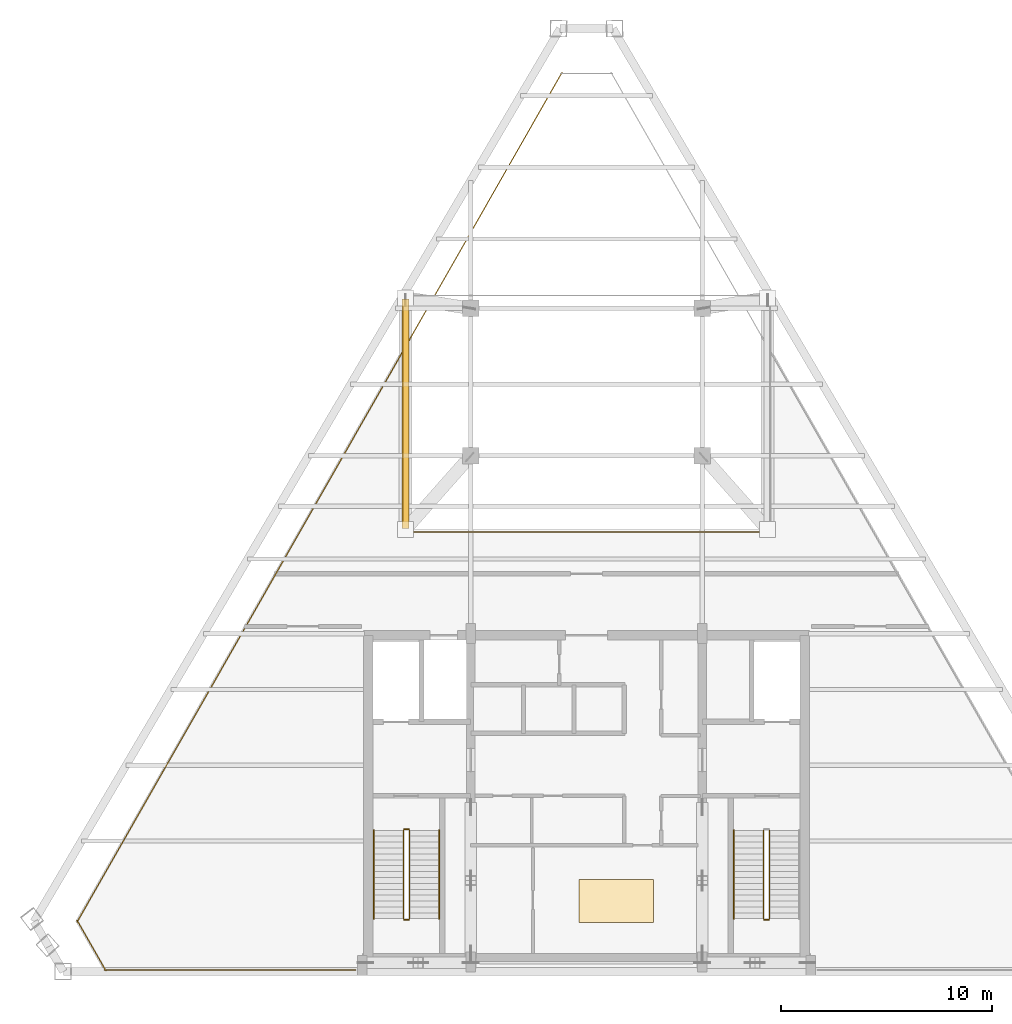
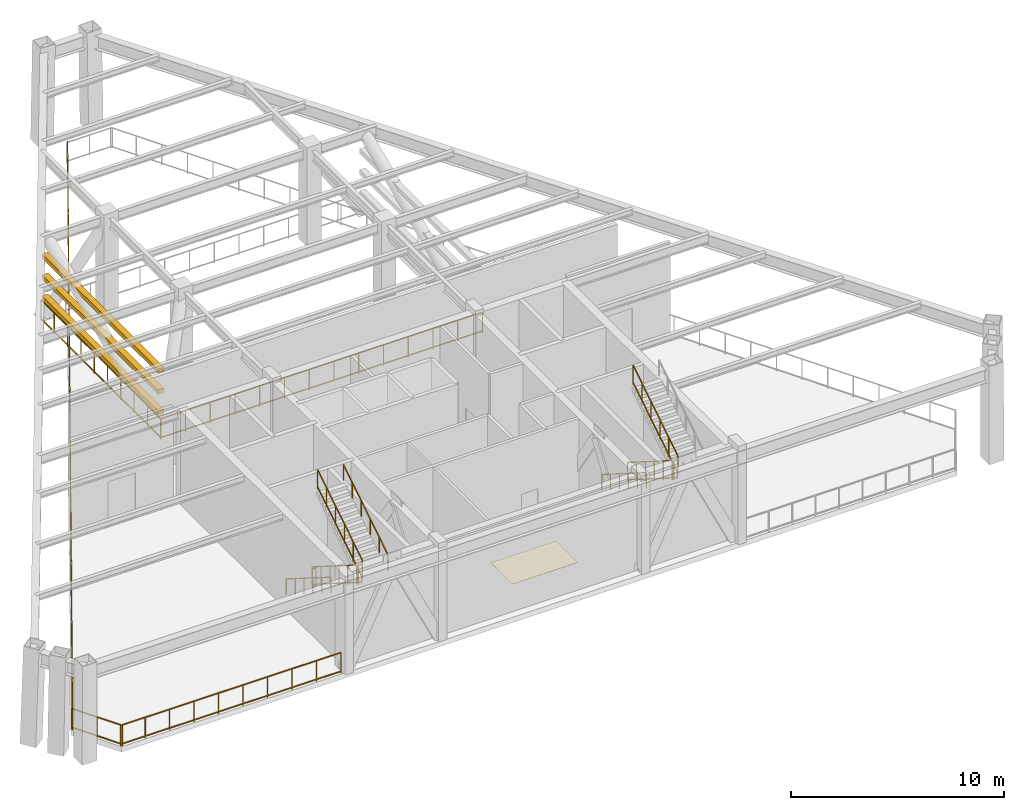
# One storey, part 5 of 6: 15 railings, 3 shading devices, 1 covering.
"""IFC4 building model written with IfcOpenShell, lengths in metres."""

import ifcopenshell
import ifcopenshell.guid

model = None  # the IFC model being written
_history = None  # IfcOwnerHistory: only IFC2X3 demands one
_inside = {}  # id of a spatial element -> (the spatial element, [elements in it])
_under = {}  # id of a project, library or spatial element -> (it, [spatial elements below it])
_declared = {}  # id of a project -> (the project, [libraries it declares])
_typed = {}  # id of a type object -> (the type object, [elements of that type])
_made_of = {}  # id of a material, layer set ... -> (it, [elements and type objects made of it])


def new_model(schema):
    """Start an empty IFC model of exactly this schema.

    Asked for "IFC4X3", IfcOpenShell would pick the latest addendum, in which some entities
    have other attributes; the version numbers below select the first issue.
    IFC2X3 requires an IfcOwnerHistory on every rooted entity: one is made here for all.
    """
    global model, _history
    if schema == "IFC4X3":
        model = ifcopenshell.file(schema_version=(4, 3, 0, 0))
    else:
        model = ifcopenshell.file(schema=schema)
    _inside.clear()
    _under.clear()
    _declared.clear()
    _typed.clear()
    _made_of.clear()
    _history = None
    if model.schema == "IFC2X3":
        org = make("IfcOrganization", Name="unknown")
        user = make(
            "IfcPersonAndOrganization",
            ThePerson=make("IfcPerson", FamilyName="unknown"),
            TheOrganization=org,
        )
        app = make(
            "IfcApplication",
            ApplicationDeveloper=org,
            Version="unknown",
            ApplicationFullName="unknown",
            ApplicationIdentifier="unknown",
        )
        _history = make(
            "IfcOwnerHistory",
            OwningUser=user,
            OwningApplication=app,
            ChangeAction="ADDED",
            CreationDate=0,
        )
    return model


def make(cls, **values):
    """One entity of the class cls with the attributes given. An attribute that is None is left unset."""
    return model.create_entity(
        cls, **{name: value for name, value in values.items() if value is not None}
    )


def rooted(cls, **values):
    """An entity with a GlobalId (a new one), such as an element, a storey or a relation."""
    return make(cls, GlobalId=ifcopenshell.guid.new(), OwnerHistory=_history, **values)


def si_unit(unit_type, name, prefix=None):
    """IfcSIUnit, for example si_unit("LENGTHUNIT", "METRE", prefix="MILLI")."""
    return make("IfcSIUnit", UnitType=unit_type, Prefix=prefix, Name=name)


def assignment(units):
    """IfcUnitAssignment: the units of a project."""
    return None if units is None else make("IfcUnitAssignment", Units=units)


def point(xyz):
    """IfcCartesianPoint."""
    return None if xyz is None else make("IfcCartesianPoint", Coordinates=xyz)


def direction(xyz):
    """IfcDirection."""
    return None if xyz is None else make("IfcDirection", DirectionRatios=xyz)


def frame(location, z_axis=None, x_axis=None):
    """IfcAxis2Placement3D, a coordinate frame: its origin and axes. An axis left out is left unset."""
    return make(
        "IfcAxis2Placement3D",
        Location=point(location),
        Axis=direction(z_axis),
        RefDirection=direction(x_axis),
    )


def frame_2d(location, x_axis=None):
    """IfcAxis2Placement2D, a coordinate frame in the plane: its origin and x axis."""
    return make(
        "IfcAxis2Placement2D", Location=point(location), RefDirection=direction(x_axis)
    )


def origin():
    """The frame at (0, 0, 0) with its axes left unset."""
    return frame((0.0, 0.0, 0.0))


def origin_2d():
    """The frame at (0, 0) in the plane with its x axis left unset."""
    return frame_2d((0.0, 0.0))


def place(relative_to, where):
    """IfcLocalPlacement: puts the frame where relative to a parent placement (None: the world)."""
    return make(
        "IfcLocalPlacement", PlacementRelTo=relative_to, RelativePlacement=where
    )


def context(
    kind, dimensions, precision=None, world=None, true_north=None, identifier=None
):
    """IfcGeometricRepresentationContext, for example the 3D "Model" context."""
    return make(
        "IfcGeometricRepresentationContext",
        ContextIdentifier=identifier,
        ContextType=kind,
        CoordinateSpaceDimension=dimensions,
        Precision=precision,
        WorldCoordinateSystem=world,
        TrueNorth=true_north,
    )


def subcontext(parent, identifier, kind, view, scale=None):
    """IfcGeometricRepresentationSubContext, for example "Body" below "Model"."""
    return make(
        "IfcGeometricRepresentationSubContext",
        ContextIdentifier=identifier,
        ContextType=kind,
        ParentContext=parent,
        TargetScale=scale,
        TargetView=view,
    )


def project(units=None, contexts=None):
    """IfcProject with its units and contexts."""
    return rooted(
        "IfcProject",
        Name="project",
        RepresentationContexts=contexts,
        UnitsInContext=assignment(units),
    )


def spatial(cls, under=None, at=None, **own):
    """A site, building, storey or space (cls), placed at a placement, below another one or the project."""
    s = rooted(cls, ObjectPlacement=at, **own)
    if under is not None:
        _under.setdefault(under.id(), (under, []))[1].append(s)
    return s


def profile(cls, at=None, kind="AREA", **sizes):
    """A parametric profile (cls). Its sizes go by their IFC names, for example OverallWidth=200.0."""
    return make(cls, ProfileType=kind, Position=at, **sizes)


def rectangle(**sizes):
    """IfcRectangleProfileDef."""
    return profile("IfcRectangleProfileDef", **sizes)


def extrude(swept, where, along, depth):
    """IfcExtrudedAreaSolid: the profile swept, set in the frame where, extruded along a direction by depth."""
    return make(
        "IfcExtrudedAreaSolid",
        SweptArea=swept,
        Position=where,
        ExtrudedDirection=direction(along),
        Depth=depth,
    )


def shape(context_of_items, identifier, shape_type, items):
    """IfcShapeRepresentation: the items that make up one representation, for example the "Body"."""
    return make(
        "IfcShapeRepresentation",
        ContextOfItems=context_of_items,
        RepresentationIdentifier=identifier,
        RepresentationType=shape_type,
        Items=items,
    )


def source(mapping_origin, context_of_items, identifier, shape_type, items):
    """IfcRepresentationMap: a shape defined once, which mapped items show again and again."""
    return make(
        "IfcRepresentationMap",
        MappingOrigin=mapping_origin,
        MappedRepresentation=shape(context_of_items, identifier, shape_type, items),
    )


def transform(
    local_origin,
    x_axis=None,
    y_axis=None,
    z_axis=None,
    scale=None,
    scale2=None,
    scale3=None,
    uniform=True,
):
    """IfcCartesianTransformationOperator3D, or its non-uniform kind. x_axis, y_axis, z_axis: its Axis1, 2, 3."""
    if uniform:
        return make(
            "IfcCartesianTransformationOperator3D",
            Axis1=direction(x_axis),
            Axis2=direction(y_axis),
            LocalOrigin=point(local_origin),
            Scale=scale,
            Axis3=direction(z_axis),
        )
    return make(
        "IfcCartesianTransformationOperator3DnonUniform",
        Axis1=direction(x_axis),
        Axis2=direction(y_axis),
        LocalOrigin=point(local_origin),
        Scale=scale,
        Axis3=direction(z_axis),
        Scale2=scale2,
        Scale3=scale3,
    )


def mapped(mapping_source, mapping_target):
    """IfcMappedItem: shows the shape of a source again, moved by a transform."""
    return make(
        "IfcMappedItem", MappingSource=mapping_source, MappingTarget=mapping_target
    )


def material(Name=None, Category=None):
    """IfcMaterial."""
    return make("IfcMaterial", Name=Name, Category=Category)


def layer(
    of_material, thickness, ventilated=None, Name=None, Category=None, Priority=None
):
    """IfcMaterialLayer: one layer of a wall or slab, of a material (None: an air gap)."""
    return make(
        "IfcMaterialLayer",
        Material=of_material,
        LayerThickness=thickness,
        IsVentilated=ventilated,
        Name=Name,
        Category=Category,
        Priority=Priority,
    )


def layer_set(layers, Name=None):
    """IfcMaterialLayerSet."""
    return make("IfcMaterialLayerSet", MaterialLayers=layers, LayerSetName=Name)


def made_of(thing, what):
    """Note that an element or type object is made of a material, layer set ...; save() writes the relation."""
    if what is not None:
        _made_of.setdefault(what.id(), (what, []))[1].append(thing)
    return thing


def type_object(cls, material=None, **own):
    """A type object (cls), such as IfcWallType, which elements share."""
    return made_of(rooted(cls, **own), material)


def type_shapes(of_type, sources):
    """Give a type object the sources (RepresentationMaps) that its elements show as mapped items."""
    of_type.RepresentationMaps = sources


def element(
    cls,
    number,
    at=None,
    inside=None,
    cuts=None,
    type_object=None,
    material=None,
    context=None,
    identifier="Body",
    shape_type=None,
    held_by="IfcProductDefinitionShape",
    body=None,
    shapes=None,
    **own,
):
    """One element of the class cls, such as IfcWall. Its Tag is "e" and its number.

    at: its placement. inside: the storey or other place that contains it. cuts: it is an
    opening in that element (IfcRelVoidsElement). A single representation is given by context,
    identifier, shape_type and body (its items); several are given by shapes. held_by: the class
    of the entity that holds the representations. save() writes the other relations.
    """
    e = rooted(cls, Tag="e%d" % number, ObjectPlacement=at, **own)
    if body is not None:
        shapes = [shape(context, identifier, shape_type, body)]
    if shapes is not None:
        e.Representation = make(held_by, Representations=shapes)
    if inside is not None:
        _inside.setdefault(inside.id(), (inside, []))[1].append(e)
    if cuts is not None:
        rooted(
            "IfcRelVoidsElement", RelatingBuildingElement=cuts, RelatedOpeningElement=e
        )
    if type_object is not None:
        _typed.setdefault(type_object.id(), (type_object, []))[1].append(e)
    return made_of(e, material)


def aggregate(whole, parts):
    """IfcRelAggregates: a whole, such as a stair, and the parts it consists of."""
    return rooted("IfcRelAggregates", RelatingObject=whole, RelatedObjects=parts)


def save(model, path):
    """Write the relations noted so far, then the file.

    IfcRelAggregates (storeys below a building ...), IfcRelContainedInSpatialStructure (elements
    in a storey), IfcRelDefinesByType, IfcRelAssociatesMaterial and IfcRelDeclares: one each for
    every whole, place, type object, material and project.
    """
    for whole, parts in _under.values():
        aggregate(whole, parts)
    for where, things in _inside.values():
        rooted(
            "IfcRelContainedInSpatialStructure",
            RelatedElements=things,
            RelatingStructure=where,
        )
    for kind, things in _typed.values():
        rooted("IfcRelDefinesByType", RelatedObjects=things, RelatingType=kind)
    for what, things in _made_of.values():
        rooted("IfcRelAssociatesMaterial", RelatedObjects=things, RelatingMaterial=what)
    for by, libraries in _declared.values():
        rooted("IfcRelDeclares", RelatingContext=by, RelatedDefinitions=libraries)
    model.write(path)


model = new_model("IFC4")

# Units and contexts
model_context = context("Model", 3, precision=1e-05, world=origin(), true_north=direction((0.0, 1.0)))
body_context = subcontext(model_context, "Body", "Model", "MODEL_VIEW")
ifc_project = project(units=[si_unit("LENGTHUNIT", "METRE"), si_unit("AREAUNIT", "SQUARE_METRE"), si_unit("VOLUMEUNIT", "CUBIC_METRE"), si_unit("PLANEANGLEUNIT", "RADIAN"), si_unit("MASSUNIT", "GRAM", prefix="KILO")], contexts=[model_context])

# Site, building, storey
site_placement = place(None, origin())
site = spatial("IfcSite", under=ifc_project, at=site_placement, CompositionType="ELEMENT")
building_placement = place(site_placement, origin())
building = spatial("IfcBuilding", under=site, at=building_placement, Name="Varnakhor Terracotta Tower", CompositionType="ELEMENT")
storey_placement = place(building_placement, frame((0.0, 0.0, 304.050048828125)))
storey = spatial("IfcBuildingStorey", under=building, at=storey_placement, Name="L80", CompositionType="ELEMENT", Elevation=304.050048828125)

# Railings
ifc_material_1 = material(Name="Painted Steel Stairwell Guardrail", Category="steel")
railing_type_1 = type_object("IfcRailingType", Name="RLG-STAIR-GUARD-1120", PredefinedType="GUARDRAIL", material=ifc_material_1)
railing_1_placement = place(storey_placement, frame((-8.699951171875, 6.7099609375, 0.176513671875)))
element("IfcRailing", 1, at=railing_1_placement, inside=storey, type_object=railing_type_1, Name="L80 ST-1 stair guard 1", PredefinedType="GUARDRAIL", context=body_context, shape_type="SweptSolid", body=[
    extrude(rectangle(XDim=0.048095703125, YDim=0.048095703125, at=origin_2d()), frame((0.0, 0.0, 1.09619140625), z_axis=(0.0, -0.845867248983, 0.533393473055), x_axis=(1.0, 0.0, 0.0)), (0.0, 0.0, 1.0), 4.96533203125),
    extrude(rectangle(XDim=0.048095703125, YDim=0.048095703125, at=origin_2d()), frame((0.0, 0.0, 0.10009765625), z_axis=(0.0, -0.845867248983, 0.533393473055), x_axis=(1.0, 0.0, 0.0)), (0.0, 0.0, 1.0), 4.96533203125),
    extrude(rectangle(XDim=0.0419921875, YDim=0.0419921875, at=origin_2d()), origin(), (0.0, 0.0, 1.0), 1.072021484375),
    extrude(rectangle(XDim=0.0419921875, YDim=0.0419921875, at=origin_2d()), frame((0.0, -0.840087890625, 0.52978515625)), (0.0, 0.0, 1.0), 1.072021484375),
    extrude(rectangle(XDim=0.0419921875, YDim=0.0419921875, at=origin_2d()), frame((0.0, -1.679931640625, 1.059326171875)), (0.0, 0.0, 1.0), 1.072021484375),
    extrude(rectangle(XDim=0.0419921875, YDim=0.0419921875, at=origin_2d()), frame((0.0, -2.52001953125, 1.589111328125)), (0.0, 0.0, 1.0), 1.072021484375),
    extrude(rectangle(XDim=0.0419921875, YDim=0.0419921875, at=origin_2d()), frame((0.0, -3.35986328125, 2.11865234375)), (0.0, 0.0, 1.0), 1.072021484375),
    extrude(rectangle(XDim=0.0419921875, YDim=0.0419921875, at=origin_2d()), frame((0.0, -4.199951171875, 2.6484375)), (0.0, 0.0, 1.0), 1.072021484375),
])
railing_2_placement = place(storey_placement, frame((-8.64990234375, 2.4599609375, 2.824951171875)))
element("IfcRailing", 2, at=railing_2_placement, inside=storey, type_object=railing_type_1, Name="L80 ST-1 stair guard 2", PredefinedType="GUARDRAIL", context=body_context, shape_type="SweptSolid", body=[
    extrude(rectangle(XDim=0.048095703125, YDim=0.048095703125, at=origin_2d()), frame((0.0, 0.0, 1.09619140625), z_axis=(1.0, 0.0, 0.0), x_axis=(0.0, 1.0, 0.0)), (0.0, 0.0, 1.0), 0.199951171875),
    extrude(rectangle(XDim=0.048095703125, YDim=0.048095703125, at=origin_2d()), frame((0.0, 0.0, 0.10009765625), z_axis=(1.0, 0.0, 0.0), x_axis=(0.0, 1.0, 0.0)), (0.0, 0.0, 1.0), 0.199951171875),
    extrude(rectangle(XDim=0.0419921875, YDim=0.0419921875, at=origin_2d()), origin(), (0.0, 0.0, 1.0), 1.072021484375),
    extrude(rectangle(XDim=0.0419921875, YDim=0.0419921875, at=origin_2d()), frame((0.199951171875, 0.0, 0.0)), (0.0, 0.0, 1.0), 1.072021484375),
])
railing_3_placement = place(storey_placement, frame((-8.39990234375, 2.510009765625, 3.00146484375)))
element("IfcRailing", 3, at=railing_3_placement, inside=storey, type_object=railing_type_1, Name="L80 ST-1 stair guard 3", PredefinedType="GUARDRAIL", context=body_context, shape_type="SweptSolid", body=[
    extrude(rectangle(XDim=0.048095703125, YDim=0.048095703125, at=origin_2d()), frame((0.0, 0.0, 1.09619140625), z_axis=(0.0, 0.845867248983, 0.533393473055), x_axis=(-1.0, 0.0, 0.0)), (0.0, 0.0, 1.0), 4.96533203125),
    extrude(rectangle(XDim=0.048095703125, YDim=0.048095703125, at=origin_2d()), frame((0.0, 0.0, 0.10009765625), z_axis=(0.0, 0.845867248983, 0.533393473055), x_axis=(-1.0, 0.0, 0.0)), (0.0, 0.0, 1.0), 4.96533203125),
    extrude(rectangle(XDim=0.0419921875, YDim=0.0419921875, at=origin_2d()), origin(), (0.0, 0.0, 1.0), 1.072021484375),
    extrude(rectangle(XDim=0.0419921875, YDim=0.0419921875, at=origin_2d()), frame((0.0, 0.840087890625, 0.52978515625)), (0.0, 0.0, 1.0), 1.072021484375),
    extrude(rectangle(XDim=0.0419921875, YDim=0.0419921875, at=origin_2d()), frame((0.0, 1.679931640625, 1.059326171875)), (0.0, 0.0, 1.0), 1.072021484375),
    extrude(rectangle(XDim=0.0419921875, YDim=0.0419921875, at=origin_2d()), frame((0.0, 2.52001953125, 1.589111328125)), (0.0, 0.0, 1.0), 1.072021484375),
    extrude(rectangle(XDim=0.0419921875, YDim=0.0419921875, at=origin_2d()), frame((0.0, 3.35986328125, 2.11865234375)), (0.0, 0.0, 1.0), 1.072021484375),
    extrude(rectangle(XDim=0.0419921875, YDim=0.0419921875, at=origin_2d()), frame((0.0, 4.199951171875, 2.6484375)), (0.0, 0.0, 1.0), 1.072021484375),
])
railing_4_placement = place(storey_placement, frame((-8.64990234375, 6.760009765625, 0.0)))
element("IfcRailing", 4, at=railing_4_placement, inside=storey, type_object=railing_type_1, Name="L80 ST-1 stair guard 4", PredefinedType="GUARDRAIL", context=body_context, shape_type="SweptSolid", body=[
    extrude(rectangle(XDim=0.048095703125, YDim=0.048095703125, at=origin_2d()), frame((0.0, 0.0, 1.09619140625), z_axis=(1.0, 0.0, 0.0), x_axis=(0.0, 1.0, 0.0)), (0.0, 0.0, 1.0), 0.199951171875),
    extrude(rectangle(XDim=0.048095703125, YDim=0.048095703125, at=origin_2d()), frame((0.0, 0.0, 0.10009765625), z_axis=(1.0, 0.0, 0.0), x_axis=(0.0, 1.0, 0.0)), (0.0, 0.0, 1.0), 0.199951171875),
    extrude(rectangle(XDim=0.0419921875, YDim=0.0419921875, at=origin_2d()), origin(), (0.0, 0.0, 1.0), 1.072021484375),
    extrude(rectangle(XDim=0.0419921875, YDim=0.0419921875, at=origin_2d()), frame((0.199951171875, 0.0, 0.0)), (0.0, 0.0, 1.0), 1.072021484375),
])
railing_5_placement = place(storey_placement, frame((8.39990234375, 6.7099609375, 0.176513671875)))
element("IfcRailing", 5, at=railing_5_placement, inside=storey, type_object=railing_type_1, Name="L80 ST-2 stair guard 1", PredefinedType="GUARDRAIL", context=body_context, shape_type="SweptSolid", body=[
    extrude(rectangle(XDim=0.048095703125, YDim=0.048095703125, at=origin_2d()), frame((0.0, 0.0, 1.09619140625), z_axis=(0.0, -0.845867248983, 0.533393473055), x_axis=(1.0, 0.0, 0.0)), (0.0, 0.0, 1.0), 4.96533203125),
    extrude(rectangle(XDim=0.048095703125, YDim=0.048095703125, at=origin_2d()), frame((0.0, 0.0, 0.10009765625), z_axis=(0.0, -0.845867248983, 0.533393473055), x_axis=(1.0, 0.0, 0.0)), (0.0, 0.0, 1.0), 4.96533203125),
    extrude(rectangle(XDim=0.0419921875, YDim=0.0419921875, at=origin_2d()), origin(), (0.0, 0.0, 1.0), 1.072021484375),
    extrude(rectangle(XDim=0.0419921875, YDim=0.0419921875, at=origin_2d()), frame((0.0, -0.840087890625, 0.52978515625)), (0.0, 0.0, 1.0), 1.072021484375),
    extrude(rectangle(XDim=0.0419921875, YDim=0.0419921875, at=origin_2d()), frame((0.0, -1.679931640625, 1.059326171875)), (0.0, 0.0, 1.0), 1.072021484375),
    extrude(rectangle(XDim=0.0419921875, YDim=0.0419921875, at=origin_2d()), frame((0.0, -2.52001953125, 1.589111328125)), (0.0, 0.0, 1.0), 1.072021484375),
    extrude(rectangle(XDim=0.0419921875, YDim=0.0419921875, at=origin_2d()), frame((0.0, -3.35986328125, 2.11865234375)), (0.0, 0.0, 1.0), 1.072021484375),
    extrude(rectangle(XDim=0.0419921875, YDim=0.0419921875, at=origin_2d()), frame((0.0, -4.199951171875, 2.6484375)), (0.0, 0.0, 1.0), 1.072021484375),
])
railing_6_placement = place(storey_placement, frame((8.449951171875, 2.4599609375, 2.824951171875)))
element("IfcRailing", 6, at=railing_6_placement, inside=storey, type_object=railing_type_1, Name="L80 ST-2 stair guard 2", PredefinedType="GUARDRAIL", context=body_context, shape_type="SweptSolid", body=[
    extrude(rectangle(XDim=0.048095703125, YDim=0.048095703125, at=origin_2d()), frame((0.0, 0.0, 1.09619140625), z_axis=(1.0, 0.0, 0.0), x_axis=(0.0, 1.0, 0.0)), (0.0, 0.0, 1.0), 0.199951171875),
    extrude(rectangle(XDim=0.048095703125, YDim=0.048095703125, at=origin_2d()), frame((0.0, 0.0, 0.10009765625), z_axis=(1.0, 0.0, 0.0), x_axis=(0.0, 1.0, 0.0)), (0.0, 0.0, 1.0), 0.199951171875),
    extrude(rectangle(XDim=0.0419921875, YDim=0.0419921875, at=origin_2d()), origin(), (0.0, 0.0, 1.0), 1.072021484375),
    extrude(rectangle(XDim=0.0419921875, YDim=0.0419921875, at=origin_2d()), frame((0.199951171875, 0.0, 0.0)), (0.0, 0.0, 1.0), 1.072021484375),
])
railing_7_placement = place(storey_placement, frame((8.699951171875, 2.510009765625, 3.00146484375)))
element("IfcRailing", 7, at=railing_7_placement, inside=storey, type_object=railing_type_1, Name="L80 ST-2 stair guard 3", PredefinedType="GUARDRAIL", context=body_context, shape_type="SweptSolid", body=[
    extrude(rectangle(XDim=0.048095703125, YDim=0.048095703125, at=origin_2d()), frame((0.0, 0.0, 1.09619140625), z_axis=(0.0, 0.845867248983, 0.533393473055), x_axis=(-1.0, 0.0, 0.0)), (0.0, 0.0, 1.0), 4.96533203125),
    extrude(rectangle(XDim=0.048095703125, YDim=0.048095703125, at=origin_2d()), frame((0.0, 0.0, 0.10009765625), z_axis=(0.0, 0.845867248983, 0.533393473055), x_axis=(-1.0, 0.0, 0.0)), (0.0, 0.0, 1.0), 4.96533203125),
    extrude(rectangle(XDim=0.0419921875, YDim=0.0419921875, at=origin_2d()), origin(), (0.0, 0.0, 1.0), 1.072021484375),
    extrude(rectangle(XDim=0.0419921875, YDim=0.0419921875, at=origin_2d()), frame((0.0, 0.840087890625, 0.52978515625)), (0.0, 0.0, 1.0), 1.072021484375),
    extrude(rectangle(XDim=0.0419921875, YDim=0.0419921875, at=origin_2d()), frame((0.0, 1.679931640625, 1.059326171875)), (0.0, 0.0, 1.0), 1.072021484375),
    extrude(rectangle(XDim=0.0419921875, YDim=0.0419921875, at=origin_2d()), frame((0.0, 2.52001953125, 1.589111328125)), (0.0, 0.0, 1.0), 1.072021484375),
    extrude(rectangle(XDim=0.0419921875, YDim=0.0419921875, at=origin_2d()), frame((0.0, 3.35986328125, 2.11865234375)), (0.0, 0.0, 1.0), 1.072021484375),
    extrude(rectangle(XDim=0.0419921875, YDim=0.0419921875, at=origin_2d()), frame((0.0, 4.199951171875, 2.6484375)), (0.0, 0.0, 1.0), 1.072021484375),
])
ifc_material_2 = material(Name="Brushed Stainless Steel Handrail", Category="steel")
railing_type_2 = type_object("IfcRailingType", Name="RLG-STAIR-HANDRAIL-920", PredefinedType="HANDRAIL", material=ifc_material_2)
railing_8_placement = place(storey_placement, frame((-10.10009765625, 6.7099609375, 0.176513671875)))
element("IfcRailing", 8, at=railing_8_placement, inside=storey, type_object=railing_type_2, Name="L80 ST-1 stair handrail 1", PredefinedType="HANDRAIL", context=body_context, shape_type="SweptSolid", body=[
    extrude(rectangle(XDim=0.048095703125, YDim=0.048095703125, at=origin_2d()), frame((0.0, 0.0, 0.89599609375), z_axis=(0.0, -0.845867248983, 0.533393473055), x_axis=(1.0, 0.0, 0.0)), (0.0, 0.0, 1.0), 4.96533203125),
    extrude(rectangle(XDim=0.0419921875, YDim=0.0419921875, at=origin_2d()), origin(), (0.0, 0.0, 1.0), 0.871826171875),
    extrude(rectangle(XDim=0.0419921875, YDim=0.0419921875, at=origin_2d()), frame((0.0, -0.840087890625, 0.52978515625)), (0.0, 0.0, 1.0), 0.871826171875),
    extrude(rectangle(XDim=0.0419921875, YDim=0.0419921875, at=origin_2d()), frame((0.0, -1.679931640625, 1.059326171875)), (0.0, 0.0, 1.0), 0.871826171875),
    extrude(rectangle(XDim=0.0419921875, YDim=0.0419921875, at=origin_2d()), frame((0.0, -2.52001953125, 1.589111328125)), (0.0, 0.0, 1.0), 0.871826171875),
    extrude(rectangle(XDim=0.0419921875, YDim=0.0419921875, at=origin_2d()), frame((0.0, -3.35986328125, 2.11865234375)), (0.0, 0.0, 1.0), 0.871826171875),
    extrude(rectangle(XDim=0.0419921875, YDim=0.0419921875, at=origin_2d()), frame((0.0, -4.199951171875, 2.6484375)), (0.0, 0.0, 1.0), 0.871826171875),
])
railing_9_placement = place(storey_placement, frame((-7.0, 2.510009765625, 3.00146484375)))
element("IfcRailing", 9, at=railing_9_placement, inside=storey, type_object=railing_type_2, Name="L80 ST-1 stair handrail 2", PredefinedType="HANDRAIL", context=body_context, shape_type="SweptSolid", body=[
    extrude(rectangle(XDim=0.048095703125, YDim=0.048095703125, at=origin_2d()), frame((0.0, 0.0, 0.89599609375), z_axis=(0.0, 0.845867248983, 0.533393473055), x_axis=(-1.0, 0.0, 0.0)), (0.0, 0.0, 1.0), 4.96533203125),
    extrude(rectangle(XDim=0.0419921875, YDim=0.0419921875, at=origin_2d()), origin(), (0.0, 0.0, 1.0), 0.871826171875),
    extrude(rectangle(XDim=0.0419921875, YDim=0.0419921875, at=origin_2d()), frame((0.0, 0.840087890625, 0.52978515625)), (0.0, 0.0, 1.0), 0.871826171875),
    extrude(rectangle(XDim=0.0419921875, YDim=0.0419921875, at=origin_2d()), frame((0.0, 1.679931640625, 1.059326171875)), (0.0, 0.0, 1.0), 0.871826171875),
    extrude(rectangle(XDim=0.0419921875, YDim=0.0419921875, at=origin_2d()), frame((0.0, 2.52001953125, 1.589111328125)), (0.0, 0.0, 1.0), 0.871826171875),
    extrude(rectangle(XDim=0.0419921875, YDim=0.0419921875, at=origin_2d()), frame((0.0, 3.35986328125, 2.11865234375)), (0.0, 0.0, 1.0), 0.871826171875),
    extrude(rectangle(XDim=0.0419921875, YDim=0.0419921875, at=origin_2d()), frame((0.0, 4.199951171875, 2.6484375)), (0.0, 0.0, 1.0), 0.871826171875),
])
railing_10_placement = place(storey_placement, frame((7.0, 6.7099609375, 0.176513671875)))
element("IfcRailing", 10, at=railing_10_placement, inside=storey, type_object=railing_type_2, Name="L80 ST-2 stair handrail 1", PredefinedType="HANDRAIL", context=body_context, shape_type="SweptSolid", body=[
    extrude(rectangle(XDim=0.048095703125, YDim=0.048095703125, at=origin_2d()), frame((0.0, 0.0, 0.89599609375), z_axis=(0.0, -0.845867248983, 0.533393473055), x_axis=(1.0, 0.0, 0.0)), (0.0, 0.0, 1.0), 4.96533203125),
    extrude(rectangle(XDim=0.0419921875, YDim=0.0419921875, at=origin_2d()), origin(), (0.0, 0.0, 1.0), 0.871826171875),
    extrude(rectangle(XDim=0.0419921875, YDim=0.0419921875, at=origin_2d()), frame((0.0, -0.840087890625, 0.52978515625)), (0.0, 0.0, 1.0), 0.871826171875),
    extrude(rectangle(XDim=0.0419921875, YDim=0.0419921875, at=origin_2d()), frame((0.0, -1.679931640625, 1.059326171875)), (0.0, 0.0, 1.0), 0.871826171875),
    extrude(rectangle(XDim=0.0419921875, YDim=0.0419921875, at=origin_2d()), frame((0.0, -2.52001953125, 1.589111328125)), (0.0, 0.0, 1.0), 0.871826171875),
    extrude(rectangle(XDim=0.0419921875, YDim=0.0419921875, at=origin_2d()), frame((0.0, -3.35986328125, 2.11865234375)), (0.0, 0.0, 1.0), 0.871826171875),
    extrude(rectangle(XDim=0.0419921875, YDim=0.0419921875, at=origin_2d()), frame((0.0, -4.199951171875, 2.6484375)), (0.0, 0.0, 1.0), 0.871826171875),
])
ifc_material_3 = material(Name="Terracotta & Brushed Steel Balustrade", Category="masonry")
railing_type_3 = type_object("IfcRailingType", Name="RLG-TERRACE-GUARD-1200", PredefinedType="BALUSTRADE", material=ifc_material_3)
railing_11_placement = place(storey_placement, frame((-24.19775390625, 2.35546875, 0.0)))
element("IfcRailing", 11, at=railing_11_placement, inside=storey, type_object=railing_type_3, Name="L80 Open Floor Perimeter Guard 1", PredefinedType="BALUSTRADE", context=body_context, shape_type="SweptSolid", body=[
    extrude(rectangle(XDim=0.048095703125, YDim=0.048095703125, at=origin_2d()), frame((0.0, 0.0, 1.17578125), z_axis=(0.495737665581, 0.86847231788, 0.0), x_axis=(-0.86847231788, 0.495737665581, 0.0)), (0.0, 0.0, 1.0), 46.4609375),
    extrude(rectangle(XDim=0.048095703125, YDim=0.048095703125, at=origin_2d()), frame((0.0, 0.0, 0.10009765625), z_axis=(0.495737665581, 0.86847231788, 0.0), x_axis=(-0.86847231788, 0.495737665581, 0.0)), (0.0, 0.0, 1.0), 46.4609375),
    extrude(rectangle(XDim=0.0419921875, YDim=0.0419921875, at=origin_2d()), origin(), (0.0, 0.0, 1.0), 1.15185546875),
    extrude(rectangle(XDim=0.0419921875, YDim=0.0419921875, at=origin_2d()), frame((0.677490234375, 1.186767578125, 0.0)), (0.0, 0.0, 1.0), 1.15185546875),
    extrude(rectangle(XDim=0.0419921875, YDim=0.0419921875, at=origin_2d()), frame((1.354736328125, 2.37353515625, 0.0)), (0.0, 0.0, 1.0), 1.15185546875),
    extrude(rectangle(XDim=0.0419921875, YDim=0.0419921875, at=origin_2d()), frame((2.0322265625, 3.560302734375, 0.0)), (0.0, 0.0, 1.0), 1.15185546875),
    extrude(rectangle(XDim=0.0419921875, YDim=0.0419921875, at=origin_2d()), frame((2.709716796875, 4.7470703125, 0.0)), (0.0, 0.0, 1.0), 1.15185546875),
    extrude(rectangle(XDim=0.0419921875, YDim=0.0419921875, at=origin_2d()), frame((3.38720703125, 5.933837890625, 0.0)), (0.0, 0.0, 1.0), 1.15185546875),
    extrude(rectangle(XDim=0.0419921875, YDim=0.0419921875, at=origin_2d()), frame((4.064453125, 7.12060546875, 0.0)), (0.0, 0.0, 1.0), 1.15185546875),
    extrude(rectangle(XDim=0.0419921875, YDim=0.0419921875, at=origin_2d()), frame((4.741943359375, 8.307373046875, 0.0)), (0.0, 0.0, 1.0), 1.15185546875),
    extrude(rectangle(XDim=0.0419921875, YDim=0.0419921875, at=origin_2d()), frame((5.41943359375, 9.494140625, 0.0)), (0.0, 0.0, 1.0), 1.15185546875),
    extrude(rectangle(XDim=0.0419921875, YDim=0.0419921875, at=origin_2d()), frame((6.096923828125, 10.680908203125, 0.0)), (0.0, 0.0, 1.0), 1.15185546875),
    extrude(rectangle(XDim=0.0419921875, YDim=0.0419921875, at=origin_2d()), frame((6.774169921875, 11.86767578125, 0.0)), (0.0, 0.0, 1.0), 1.15185546875),
    extrude(rectangle(XDim=0.0419921875, YDim=0.0419921875, at=origin_2d()), frame((7.45166015625, 13.054443359375, 0.0)), (0.0, 0.0, 1.0), 1.15185546875),
    extrude(rectangle(XDim=0.0419921875, YDim=0.0419921875, at=origin_2d()), frame((8.129150390625, 14.2412109375, 0.0)), (0.0, 0.0, 1.0), 1.15185546875),
    extrude(rectangle(XDim=0.0419921875, YDim=0.0419921875, at=origin_2d()), frame((8.806640625, 15.427978515625, 0.0)), (0.0, 0.0, 1.0), 1.15185546875),
    extrude(rectangle(XDim=0.0419921875, YDim=0.0419921875, at=origin_2d()), frame((9.48388671875, 16.61474609375, 0.0)), (0.0, 0.0, 1.0), 1.15185546875),
    extrude(rectangle(XDim=0.0419921875, YDim=0.0419921875, at=origin_2d()), frame((10.161376953125, 17.801513671875, 0.0)), (0.0, 0.0, 1.0), 1.15185546875),
    extrude(rectangle(XDim=0.0419921875, YDim=0.0419921875, at=origin_2d()), frame((10.8388671875, 18.98828125, 0.0)), (0.0, 0.0, 1.0), 1.15185546875),
    extrude(rectangle(XDim=0.0419921875, YDim=0.0419921875, at=origin_2d()), frame((11.51611328125, 20.175048828125, 0.0)), (0.0, 0.0, 1.0), 1.15185546875),
    extrude(rectangle(XDim=0.0419921875, YDim=0.0419921875, at=origin_2d()), frame((12.193603515625, 21.36181640625, 0.0)), (0.0, 0.0, 1.0), 1.15185546875),
    extrude(rectangle(XDim=0.0419921875, YDim=0.0419921875, at=origin_2d()), frame((12.87109375, 22.548583984375, 0.0)), (0.0, 0.0, 1.0), 1.15185546875),
    extrude(rectangle(XDim=0.0419921875, YDim=0.0419921875, at=origin_2d()), frame((13.548583984375, 23.7353515625, 0.0)), (0.0, 0.0, 1.0), 1.15185546875),
    extrude(rectangle(XDim=0.0419921875, YDim=0.0419921875, at=origin_2d()), frame((14.225830078125, 24.922119140625, 0.0)), (0.0, 0.0, 1.0), 1.15185546875),
    extrude(rectangle(XDim=0.0419921875, YDim=0.0419921875, at=origin_2d()), frame((14.9033203125, 26.10888671875, 0.0)), (0.0, 0.0, 1.0), 1.15185546875),
    extrude(rectangle(XDim=0.0419921875, YDim=0.0419921875, at=origin_2d()), frame((15.580810546875, 27.295654296875, 0.0)), (0.0, 0.0, 1.0), 1.15185546875),
    extrude(rectangle(XDim=0.0419921875, YDim=0.0419921875, at=origin_2d()), frame((16.25830078125, 28.482421875, 0.0)), (0.0, 0.0, 1.0), 1.15185546875),
    extrude(rectangle(XDim=0.0419921875, YDim=0.0419921875, at=origin_2d()), frame((16.935546875, 29.669189453125, 0.0)), (0.0, 0.0, 1.0), 1.15185546875),
    extrude(rectangle(XDim=0.0419921875, YDim=0.0419921875, at=origin_2d()), frame((17.613037109375, 30.85595703125, 0.0)), (0.0, 0.0, 1.0), 1.15185546875),
    extrude(rectangle(XDim=0.0419921875, YDim=0.0419921875, at=origin_2d()), frame((18.29052734375, 32.042724609375, 0.0)), (0.0, 0.0, 1.0), 1.15185546875),
    extrude(rectangle(XDim=0.0419921875, YDim=0.0419921875, at=origin_2d()), frame((18.968017578125, 33.2294921875, 0.0)), (0.0, 0.0, 1.0), 1.15185546875),
    extrude(rectangle(XDim=0.0419921875, YDim=0.0419921875, at=origin_2d()), frame((19.645263671875, 34.416259765625, 0.0)), (0.0, 0.0, 1.0), 1.15185546875),
    extrude(rectangle(XDim=0.0419921875, YDim=0.0419921875, at=origin_2d()), frame((20.32275390625, 35.60302734375, 0.0)), (0.0, 0.0, 1.0), 1.15185546875),
    extrude(rectangle(XDim=0.0419921875, YDim=0.0419921875, at=origin_2d()), frame((21.000244140625, 36.789794921875, 0.0)), (0.0, 0.0, 1.0), 1.15185546875),
    extrude(rectangle(XDim=0.0419921875, YDim=0.0419921875, at=origin_2d()), frame((21.677734375, 37.9765625, 0.0)), (0.0, 0.0, 1.0), 1.15185546875),
    extrude(rectangle(XDim=0.0419921875, YDim=0.0419921875, at=origin_2d()), frame((22.35498046875, 39.163330078125, 0.0)), (0.0, 0.0, 1.0), 1.15185546875),
    extrude(rectangle(XDim=0.0419921875, YDim=0.0419921875, at=origin_2d()), frame((23.032470703125, 40.35009765625, 0.0)), (0.0, 0.0, 1.0), 1.15185546875),
])
railing_12_placement = place(storey_placement, frame((-10.9599609375, 0.080078125, 0.0)))
element("IfcRailing", 12, at=railing_12_placement, inside=storey, type_object=railing_type_3, Name="L80 Open Refuge Perimeter Guard SSW", PredefinedType="BALUSTRADE", context=body_context, shape_type="SweptSolid", body=[
    extrude(rectangle(XDim=0.048095703125, YDim=0.048095703125, at=origin_2d()), frame((0.0, 0.0, 1.17578125), z_axis=(-1.0, 0.0, 0.0), x_axis=(0.0, -1.0, 0.0)), (0.0, 0.0, 1.0), 11.940185546875),
    extrude(rectangle(XDim=0.048095703125, YDim=0.048095703125, at=origin_2d()), frame((0.0, 0.0, 0.10009765625), z_axis=(-1.0, 0.0, 0.0), x_axis=(0.0, -1.0, 0.0)), (0.0, 0.0, 1.0), 11.940185546875),
    extrude(rectangle(XDim=0.0419921875, YDim=0.0419921875, at=origin_2d()), origin(), (0.0, 0.0, 1.0), 1.15185546875),
    extrude(rectangle(XDim=0.0419921875, YDim=0.0419921875, at=origin_2d()), frame((-1.32666015625, 0.0, 0.0)), (0.0, 0.0, 1.0), 1.15185546875),
    extrude(rectangle(XDim=0.0419921875, YDim=0.0419921875, at=origin_2d()), frame((-2.6533203125, 0.0, 0.0)), (0.0, 0.0, 1.0), 1.15185546875),
    extrude(rectangle(XDim=0.0419921875, YDim=0.0419921875, at=origin_2d()), frame((-3.97998046875, 0.0, 0.0)), (0.0, 0.0, 1.0), 1.15185546875),
    extrude(rectangle(XDim=0.0419921875, YDim=0.0419921875, at=origin_2d()), frame((-5.306640625, 0.0, 0.0)), (0.0, 0.0, 1.0), 1.15185546875),
    extrude(rectangle(XDim=0.0419921875, YDim=0.0419921875, at=origin_2d()), frame((-6.633544921875, 0.0, 0.0)), (0.0, 0.0, 1.0), 1.15185546875),
    extrude(rectangle(XDim=0.0419921875, YDim=0.0419921875, at=origin_2d()), frame((-7.960205078125, 0.0, 0.0)), (0.0, 0.0, 1.0), 1.15185546875),
    extrude(rectangle(XDim=0.0419921875, YDim=0.0419921875, at=origin_2d()), frame((-9.286865234375, 0.0, 0.0)), (0.0, 0.0, 1.0), 1.15185546875),
    extrude(rectangle(XDim=0.0419921875, YDim=0.0419921875, at=origin_2d()), frame((-10.613525390625, 0.0, 0.0)), (0.0, 0.0, 1.0), 1.15185546875),
    extrude(rectangle(XDim=0.0419921875, YDim=0.0419921875, at=origin_2d()), frame((-11.940185546875, 0.0, 0.0)), (0.0, 0.0, 1.0), 1.15185546875),
])
railing_13_placement = place(storey_placement, frame((-22.83056640625, 0.039794921875, 0.0)))
element("IfcRailing", 13, at=railing_13_placement, inside=storey, type_object=railing_type_3, Name="L80 Open Floor Perimeter Guard 6", PredefinedType="BALUSTRADE", context=body_context, shape_type="SweptSolid", body=[
    extrude(rectangle(XDim=0.048095703125, YDim=0.048095703125, at=origin_2d()), frame((0.0, 0.0, 1.17578125), z_axis=(-0.495757538547, 0.868460973777, 0.0), x_axis=(-0.868460973777, -0.495757538547, 0.0)), (0.0, 0.0, 1.0), 2.7578125),
    extrude(rectangle(XDim=0.048095703125, YDim=0.048095703125, at=origin_2d()), frame((0.0, 0.0, 0.10009765625), z_axis=(-0.495757538547, 0.868460973777, 0.0), x_axis=(-0.868460973777, -0.495757538547, 0.0)), (0.0, 0.0, 1.0), 2.7578125),
    extrude(rectangle(XDim=0.0419921875, YDim=0.0419921875, at=origin_2d()), origin(), (0.0, 0.0, 1.0), 1.15185546875),
    extrude(rectangle(XDim=0.0419921875, YDim=0.0419921875, at=origin_2d()), frame((-0.68359375, 1.197509765625, 0.0)), (0.0, 0.0, 1.0), 1.15185546875),
    extrude(rectangle(XDim=0.0419921875, YDim=0.0419921875, at=origin_2d()), frame((-1.3671875, 2.39501953125, 0.0)), (0.0, 0.0, 1.0), 1.15185546875),
])
railing_14_placement = place(storey_placement, frame((-8.719970703125, 20.8798828125, 0.0)))
element("IfcRailing", 14, at=railing_14_placement, inside=storey, type_object=railing_type_3, Name="L80 Wind-Turbine Portal Guard 1", PredefinedType="BALUSTRADE", context=body_context, shape_type="SweptSolid", body=[
    extrude(rectangle(XDim=0.048095703125, YDim=0.048095703125, at=origin_2d()), frame((0.0, 0.0, 1.17578125), z_axis=(1.0, 0.0, 0.0), x_axis=(0.0, 1.0, 0.0)), (0.0, 0.0, 1.0), 17.43994140625),
    extrude(rectangle(XDim=0.048095703125, YDim=0.048095703125, at=origin_2d()), frame((0.0, 0.0, 0.10009765625), z_axis=(1.0, 0.0, 0.0), x_axis=(0.0, 1.0, 0.0)), (0.0, 0.0, 1.0), 17.43994140625),
    extrude(rectangle(XDim=0.0419921875, YDim=0.0419921875, at=origin_2d()), origin(), (0.0, 0.0, 1.0), 1.15185546875),
    extrude(rectangle(XDim=0.0419921875, YDim=0.0419921875, at=origin_2d()), frame((1.341552734375, 0.0, 0.0)), (0.0, 0.0, 1.0), 1.15185546875),
    extrude(rectangle(XDim=0.0419921875, YDim=0.0419921875, at=origin_2d()), frame((2.68310546875, 0.0, 0.0)), (0.0, 0.0, 1.0), 1.15185546875),
    extrude(rectangle(XDim=0.0419921875, YDim=0.0419921875, at=origin_2d()), frame((4.024658203125, 0.0, 0.0)), (0.0, 0.0, 1.0), 1.15185546875),
    extrude(rectangle(XDim=0.0419921875, YDim=0.0419921875, at=origin_2d()), frame((5.3662109375, 0.0, 0.0)), (0.0, 0.0, 1.0), 1.15185546875),
    extrude(rectangle(XDim=0.0419921875, YDim=0.0419921875, at=origin_2d()), frame((6.707763671875, 0.0, 0.0)), (0.0, 0.0, 1.0), 1.15185546875),
    extrude(rectangle(XDim=0.0419921875, YDim=0.0419921875, at=origin_2d()), frame((8.04931640625, 0.0, 0.0)), (0.0, 0.0, 1.0), 1.15185546875),
    extrude(rectangle(XDim=0.0419921875, YDim=0.0419921875, at=origin_2d()), frame((9.390625, 0.0, 0.0)), (0.0, 0.0, 1.0), 1.15185546875),
    extrude(rectangle(XDim=0.0419921875, YDim=0.0419921875, at=origin_2d()), frame((10.732177734375, 0.0, 0.0)), (0.0, 0.0, 1.0), 1.15185546875),
    extrude(rectangle(XDim=0.0419921875, YDim=0.0419921875, at=origin_2d()), frame((12.07373046875, 0.0, 0.0)), (0.0, 0.0, 1.0), 1.15185546875),
    extrude(rectangle(XDim=0.0419921875, YDim=0.0419921875, at=origin_2d()), frame((13.415283203125, 0.0, 0.0)), (0.0, 0.0, 1.0), 1.15185546875),
    extrude(rectangle(XDim=0.0419921875, YDim=0.0419921875, at=origin_2d()), frame((14.7568359375, 0.0, 0.0)), (0.0, 0.0, 1.0), 1.15185546875),
    extrude(rectangle(XDim=0.0419921875, YDim=0.0419921875, at=origin_2d()), frame((16.098388671875, 0.0, 0.0)), (0.0, 0.0, 1.0), 1.15185546875),
    extrude(rectangle(XDim=0.0419921875, YDim=0.0419921875, at=origin_2d()), frame((17.43994140625, 0.0, 0.0)), (0.0, 0.0, 1.0), 1.15185546875),
])
railing_15_placement = place(storey_placement, frame((-8.719970703125, 32.1201171875, 0.0)))
element("IfcRailing", 15, at=railing_15_placement, inside=storey, type_object=railing_type_3, Name="L80 Wind-Turbine Portal Guard 4", PredefinedType="BALUSTRADE", context=body_context, shape_type="SweptSolid", body=[
    extrude(rectangle(XDim=0.048095703125, YDim=0.048095703125, at=origin_2d()), frame((0.0, 0.0, 1.17578125), z_axis=(0.0, -1.0, 0.0), x_axis=(1.0, 0.0, 0.0)), (0.0, 0.0, 1.0), 11.240234375),
    extrude(rectangle(XDim=0.048095703125, YDim=0.048095703125, at=origin_2d()), frame((0.0, 0.0, 0.10009765625), z_axis=(0.0, -1.0, 0.0), x_axis=(1.0, 0.0, 0.0)), (0.0, 0.0, 1.0), 11.240234375),
    extrude(rectangle(XDim=0.0419921875, YDim=0.0419921875, at=origin_2d()), origin(), (0.0, 0.0, 1.0), 1.15185546875),
    extrude(rectangle(XDim=0.0419921875, YDim=0.0419921875, at=origin_2d()), frame((0.0, -1.2490234375, 0.0)), (0.0, 0.0, 1.0), 1.15185546875),
    extrude(rectangle(XDim=0.0419921875, YDim=0.0419921875, at=origin_2d()), frame((0.0, -2.497802734375, 0.0)), (0.0, 0.0, 1.0), 1.15185546875),
    extrude(rectangle(XDim=0.0419921875, YDim=0.0419921875, at=origin_2d()), frame((0.0, -3.746826171875, 0.0)), (0.0, 0.0, 1.0), 1.15185546875),
    extrude(rectangle(XDim=0.0419921875, YDim=0.0419921875, at=origin_2d()), frame((0.0, -4.99560546875, 0.0)), (0.0, 0.0, 1.0), 1.15185546875),
    extrude(rectangle(XDim=0.0419921875, YDim=0.0419921875, at=origin_2d()), frame((0.0, -6.24462890625, 0.0)), (0.0, 0.0, 1.0), 1.15185546875),
    extrude(rectangle(XDim=0.0419921875, YDim=0.0419921875, at=origin_2d()), frame((0.0, -7.493408203125, 0.0)), (0.0, 0.0, 1.0), 1.15185546875),
    extrude(rectangle(XDim=0.0419921875, YDim=0.0419921875, at=origin_2d()), frame((0.0, -8.742431640625, 0.0)), (0.0, 0.0, 1.0), 1.15185546875),
    extrude(rectangle(XDim=0.0419921875, YDim=0.0419921875, at=origin_2d()), frame((0.0, -9.9912109375, 0.0)), (0.0, 0.0, 1.0), 1.15185546875),
    extrude(rectangle(XDim=0.0419921875, YDim=0.0419921875, at=origin_2d()), frame((0.0, -11.240234375, 0.0)), (0.0, 0.0, 1.0), 1.15185546875),
])

# Shading devices
ifc_material_4 = material(Name="Anodised Aluminium Sand-Trap Louvre", Category="aluminium")
shading_device_type = type_object("IfcShadingDeviceType", Name="SAND ATTENUATING LOUVRE", PredefinedType="JALOUSIE", material=ifc_material_4)
shared_shape_1 = source(origin(), body_context, "Body", "SweptSolid", [
    extrude(rectangle(XDim=0.320068359375, YDim=10.89990234375, at=origin_2d()), origin(), (0.0, 0.0, 1.0), 0.25),
])
type_shapes(shading_device_type, [shared_shape_1])
for number, where, z_axis, x_axis, name in (
    (16, (-8.60009765625, 26.5, 1.27490234375), (0.0, 0.0, 1.0), (1.0, 0.0, 0.0), "L80 Wind-Slot Sand Louvre W1"),
    (17, (-8.60009765625, 26.5, 2.474853515625), (0.0, 0.0, 1.0), (1.0, 0.0, 0.0), "L80 Wind-Slot Sand Louvre W2"),
    (18, (-8.60009765625, 26.5, 3.675048828125), (0.0, 0.0, 1.0), (1.0, 0.0, 0.0), "L80 Wind-Slot Sand Louvre W3"),
):
    element("IfcShadingDevice", number, at=place(storey_placement, frame(where, z_axis=z_axis, x_axis=x_axis)), inside=storey, type_object=shading_device_type, Name=name, PredefinedType="JALOUSIE", context=body_context, shape_type="MappedRepresentation", body=[
        mapped(shared_shape_1, transform((0.0, 0.0, 0.0), scale=1.0)),
    ])

# Covering
ifc_material_5 = material(Name="Insulated Elastomeric Waterproof Roofing Membrane", Category="other")
ifc_layer = layer(ifc_material_5, 0.034912109375, Name="Insulated Elastomeric Waterproof Roofing Membrane")
ifc_layer_set = layer_set([ifc_layer], Name="Insulated Elastomeric Waterproof Roofing Membrane")
covering_type = type_object("IfcCoveringType", Name="COV-ROOF-MEMBRANE", PredefinedType="ROOFING", material=ifc_layer_set)
shared_shape_2 = source(origin(), body_context, "Body", "SweptSolid", [
    extrude(rectangle(XDim=3.547119140625, YDim=2.041015625, at=origin_2d()), origin(), (0.0, 0.0, 1.0), 0.014892578125),
])
covering_placement = place(storey_placement, frame((1.4150390625, 3.35498046875, 0.0), z_axis=(0.0, 0.0, 1.0), x_axis=(1.0, 0.0, 0.0)))
element("IfcCovering", 19, at=covering_placement, inside=storey, type_object=covering_type, Name="L80 Waterproof Plant Membrane 1", PredefinedType="ROOFING", context=body_context, shape_type="MappedRepresentation", body=[
    mapped(shared_shape_2, transform((0.0, 0.0, 0.0), scale=1.0)),
])

save(model, "model.ifc")
